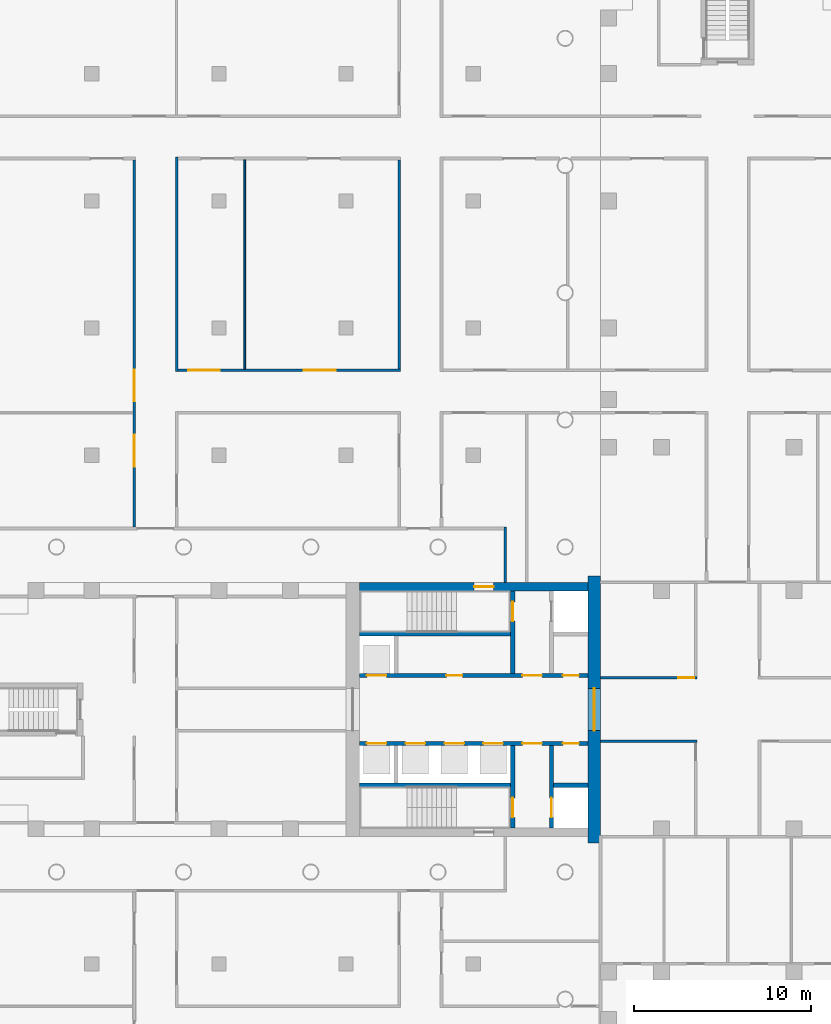
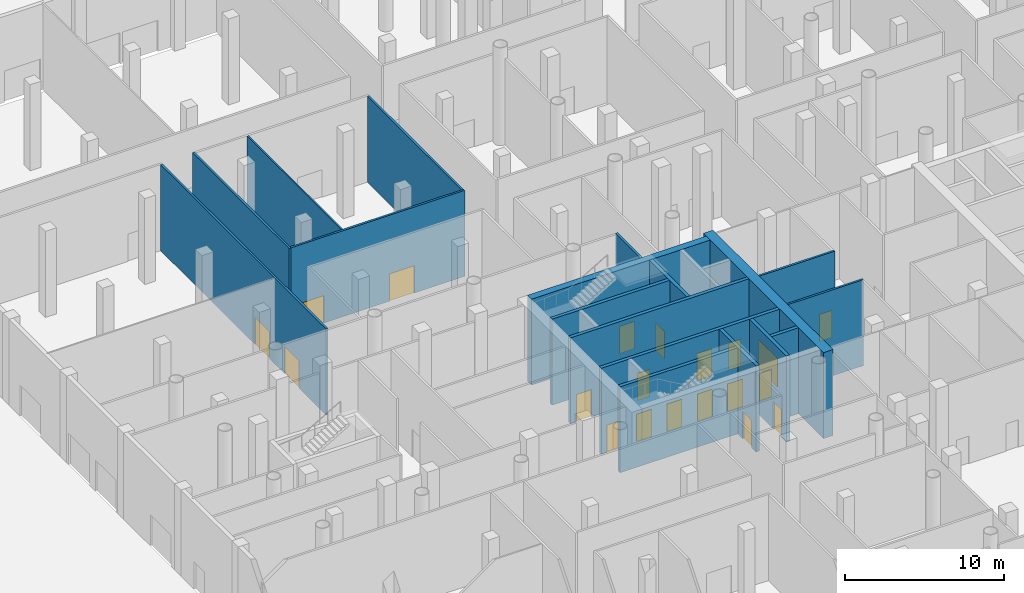
# One storey, part 23 of 44: 20 doors, 18 walls, 20 openings.
"""IFC4 building model written with IfcOpenShell, lengths in metres."""

import ifcopenshell
import ifcopenshell.guid

model = None  # the IFC model being written
_history = None  # IfcOwnerHistory: only IFC2X3 demands one
_inside = {}  # id of a spatial element -> (the spatial element, [elements in it])
_under = {}  # id of a project, library or spatial element -> (it, [spatial elements below it])
_declared = {}  # id of a project -> (the project, [libraries it declares])
_typed = {}  # id of a type object -> (the type object, [elements of that type])
_made_of = {}  # id of a material, layer set ... -> (it, [elements and type objects made of it])


def new_model(schema):
    """Start an empty IFC model of exactly this schema.

    Asked for "IFC4X3", IfcOpenShell would pick the latest addendum, in which some entities
    have other attributes; the version numbers below select the first issue.
    IFC2X3 requires an IfcOwnerHistory on every rooted entity: one is made here for all.
    """
    global model, _history
    if schema == "IFC4X3":
        model = ifcopenshell.file(schema_version=(4, 3, 0, 0))
    else:
        model = ifcopenshell.file(schema=schema)
    _inside.clear()
    _under.clear()
    _declared.clear()
    _typed.clear()
    _made_of.clear()
    _history = None
    if model.schema == "IFC2X3":
        org = make("IfcOrganization", Name="unknown")
        user = make(
            "IfcPersonAndOrganization",
            ThePerson=make("IfcPerson", FamilyName="unknown"),
            TheOrganization=org,
        )
        app = make(
            "IfcApplication",
            ApplicationDeveloper=org,
            Version="unknown",
            ApplicationFullName="unknown",
            ApplicationIdentifier="unknown",
        )
        _history = make(
            "IfcOwnerHistory",
            OwningUser=user,
            OwningApplication=app,
            ChangeAction="ADDED",
            CreationDate=0,
        )
    return model


def make(cls, **values):
    """One entity of the class cls with the attributes given. An attribute that is None is left unset."""
    return model.create_entity(
        cls, **{name: value for name, value in values.items() if value is not None}
    )


def rooted(cls, **values):
    """An entity with a GlobalId (a new one), such as an element, a storey or a relation."""
    return make(cls, GlobalId=ifcopenshell.guid.new(), OwnerHistory=_history, **values)


def si_unit(unit_type, name, prefix=None):
    """IfcSIUnit, for example si_unit("LENGTHUNIT", "METRE", prefix="MILLI")."""
    return make("IfcSIUnit", UnitType=unit_type, Prefix=prefix, Name=name)


def assignment(units):
    """IfcUnitAssignment: the units of a project."""
    return None if units is None else make("IfcUnitAssignment", Units=units)


def point(xyz):
    """IfcCartesianPoint."""
    return None if xyz is None else make("IfcCartesianPoint", Coordinates=xyz)


def direction(xyz):
    """IfcDirection."""
    return None if xyz is None else make("IfcDirection", DirectionRatios=xyz)


def frame(location, z_axis=None, x_axis=None):
    """IfcAxis2Placement3D, a coordinate frame: its origin and axes. An axis left out is left unset."""
    return make(
        "IfcAxis2Placement3D",
        Location=point(location),
        Axis=direction(z_axis),
        RefDirection=direction(x_axis),
    )


def frame_2d(location, x_axis=None):
    """IfcAxis2Placement2D, a coordinate frame in the plane: its origin and x axis."""
    return make(
        "IfcAxis2Placement2D", Location=point(location), RefDirection=direction(x_axis)
    )


def origin():
    """The frame at (0, 0, 0) with its axes left unset."""
    return frame((0.0, 0.0, 0.0))


def place(relative_to, where):
    """IfcLocalPlacement: puts the frame where relative to a parent placement (None: the world)."""
    return make(
        "IfcLocalPlacement", PlacementRelTo=relative_to, RelativePlacement=where
    )


def context(
    kind, dimensions, precision=None, world=None, true_north=None, identifier=None
):
    """IfcGeometricRepresentationContext, for example the 3D "Model" context."""
    return make(
        "IfcGeometricRepresentationContext",
        ContextIdentifier=identifier,
        ContextType=kind,
        CoordinateSpaceDimension=dimensions,
        Precision=precision,
        WorldCoordinateSystem=world,
        TrueNorth=true_north,
    )


def subcontext(parent, identifier, kind, view, scale=None):
    """IfcGeometricRepresentationSubContext, for example "Body" below "Model"."""
    return make(
        "IfcGeometricRepresentationSubContext",
        ContextIdentifier=identifier,
        ContextType=kind,
        ParentContext=parent,
        TargetScale=scale,
        TargetView=view,
    )


def project(units=None, contexts=None):
    """IfcProject with its units and contexts."""
    return rooted(
        "IfcProject",
        Name="project",
        RepresentationContexts=contexts,
        UnitsInContext=assignment(units),
    )


def spatial(cls, under=None, at=None, **own):
    """A site, building, storey or space (cls), placed at a placement, below another one or the project."""
    s = rooted(cls, ObjectPlacement=at, **own)
    if under is not None:
        _under.setdefault(under.id(), (under, []))[1].append(s)
    return s


def profile(cls, at=None, kind="AREA", **sizes):
    """A parametric profile (cls). Its sizes go by their IFC names, for example OverallWidth=200.0."""
    return make(cls, ProfileType=kind, Position=at, **sizes)


def rectangle(**sizes):
    """IfcRectangleProfileDef."""
    return profile("IfcRectangleProfileDef", **sizes)


def extrude(swept, where, along, depth):
    """IfcExtrudedAreaSolid: the profile swept, set in the frame where, extruded along a direction by depth."""
    return make(
        "IfcExtrudedAreaSolid",
        SweptArea=swept,
        Position=where,
        ExtrudedDirection=direction(along),
        Depth=depth,
    )


def shape(context_of_items, identifier, shape_type, items):
    """IfcShapeRepresentation: the items that make up one representation, for example the "Body"."""
    return make(
        "IfcShapeRepresentation",
        ContextOfItems=context_of_items,
        RepresentationIdentifier=identifier,
        RepresentationType=shape_type,
        Items=items,
    )


def material(Name=None, Category=None):
    """IfcMaterial."""
    return make("IfcMaterial", Name=Name, Category=Category)


def layer(
    of_material, thickness, ventilated=None, Name=None, Category=None, Priority=None
):
    """IfcMaterialLayer: one layer of a wall or slab, of a material (None: an air gap)."""
    return make(
        "IfcMaterialLayer",
        Material=of_material,
        LayerThickness=thickness,
        IsVentilated=ventilated,
        Name=Name,
        Category=Category,
        Priority=Priority,
    )


def layer_set(layers, Name=None):
    """IfcMaterialLayerSet."""
    return make("IfcMaterialLayerSet", MaterialLayers=layers, LayerSetName=Name)


def made_of(thing, what):
    """Note that an element or type object is made of a material, layer set ...; save() writes the relation."""
    if what is not None:
        _made_of.setdefault(what.id(), (what, []))[1].append(thing)
    return thing


def type_object(cls, material=None, **own):
    """A type object (cls), such as IfcWallType, which elements share."""
    return made_of(rooted(cls, **own), material)


def element(
    cls,
    number,
    at=None,
    inside=None,
    cuts=None,
    type_object=None,
    material=None,
    context=None,
    identifier="Body",
    shape_type=None,
    held_by="IfcProductDefinitionShape",
    body=None,
    shapes=None,
    **own,
):
    """One element of the class cls, such as IfcWall. Its Tag is "e" and its number.

    at: its placement. inside: the storey or other place that contains it. cuts: it is an
    opening in that element (IfcRelVoidsElement). A single representation is given by context,
    identifier, shape_type and body (its items); several are given by shapes. held_by: the class
    of the entity that holds the representations. save() writes the other relations.
    """
    e = rooted(cls, Tag="e%d" % number, ObjectPlacement=at, **own)
    if body is not None:
        shapes = [shape(context, identifier, shape_type, body)]
    if shapes is not None:
        e.Representation = make(held_by, Representations=shapes)
    if inside is not None:
        _inside.setdefault(inside.id(), (inside, []))[1].append(e)
    if cuts is not None:
        rooted(
            "IfcRelVoidsElement", RelatingBuildingElement=cuts, RelatedOpeningElement=e
        )
    if type_object is not None:
        _typed.setdefault(type_object.id(), (type_object, []))[1].append(e)
    return made_of(e, material)


def fill(opening, filler):
    """IfcRelFillsElement: the door or window that sits in an opening."""
    return rooted(
        "IfcRelFillsElement",
        RelatingOpeningElement=opening,
        RelatedBuildingElement=filler,
    )


def aggregate(whole, parts):
    """IfcRelAggregates: a whole, such as a stair, and the parts it consists of."""
    return rooted("IfcRelAggregates", RelatingObject=whole, RelatedObjects=parts)


def save(model, path):
    """Write the relations noted so far, then the file.

    IfcRelAggregates (storeys below a building ...), IfcRelContainedInSpatialStructure (elements
    in a storey), IfcRelDefinesByType, IfcRelAssociatesMaterial and IfcRelDeclares: one each for
    every whole, place, type object, material and project.
    """
    for whole, parts in _under.values():
        aggregate(whole, parts)
    for where, things in _inside.values():
        rooted(
            "IfcRelContainedInSpatialStructure",
            RelatedElements=things,
            RelatingStructure=where,
        )
    for kind, things in _typed.values():
        rooted("IfcRelDefinesByType", RelatedObjects=things, RelatingType=kind)
    for what, things in _made_of.values():
        rooted("IfcRelAssociatesMaterial", RelatedObjects=things, RelatingMaterial=what)
    for by, libraries in _declared.values():
        rooted("IfcRelDeclares", RelatingContext=by, RelatedDefinitions=libraries)
    model.write(path)


model = new_model("IFC4")

# Units and contexts
model_context = context("Model", 3, precision=1e-05, world=origin(), true_north=direction((0.0, 1.0)))
body_context = subcontext(model_context, "Body", "Model", "MODEL_VIEW")
ifc_project = project(units=[si_unit("LENGTHUNIT", "METRE"), si_unit("AREAUNIT", "SQUARE_METRE"), si_unit("VOLUMEUNIT", "CUBIC_METRE"), si_unit("PLANEANGLEUNIT", "RADIAN"), si_unit("MASSUNIT", "GRAM", prefix="KILO")], contexts=[model_context])

# Site, building, storey
site_placement = place(None, origin())
site = spatial("IfcSite", under=ifc_project, at=site_placement, CompositionType="ELEMENT")
building_placement = place(site_placement, origin())
building = spatial("IfcBuilding", under=site, at=building_placement, Name="Fustian Cross Tower", CompositionType="ELEMENT")
storey_placement = place(building_placement, origin())
storey = spatial("IfcBuildingStorey", under=building, at=storey_placement, Name="L00", CompositionType="ELEMENT", Elevation=0.0)

# Wall, openings, doors
ifc_material_1 = material(Name="Plasterboard on steel stud", Category="steel")
ifc_layer_1 = layer(ifc_material_1, 0.14990234375)
ifc_layer_set_1 = layer_set([ifc_layer_1], Name="Plasterboard on steel stud")
wall_type_1 = type_object("IfcWallType", Name="COMPARTMENT WALL 150 EI 60", PredefinedType="PARTITIONING", material=ifc_layer_set_1)
wall_1_placement = place(storey_placement, frame((-33.60009765625, 10.324951171875, 0.0), z_axis=(0.0, 0.0, 1.0), x_axis=(0.0, 1.0, 0.0)))
wall_1 = element("IfcWall", 1, at=wall_1_placement, inside=storey, type_object=wall_type_1, Name="Partition 21", PredefinedType="PARTITIONING", context=body_context, shape_type="SweptSolid", body=[
    extrude(rectangle(XDim=20.800048828125, YDim=0.14990234375, at=frame_2d((10.39990234375, 0.0))), origin(), (0.0, 0.0, 1.0), 6.60009765625),
])
opening_1_placement = place(wall_1_placement, frame((3.425048828125, 0.0, 0.0)))
opening_1 = element("IfcOpeningElement", 2, at=opening_1_placement, cuts=wall_1, Name="Opening D02080", PredefinedType="OPENING", context=body_context, shape_type="SweptSolid", body=[
    extrude(rectangle(XDim=1.800048828125, YDim=2.10009765625, at=frame_2d((0.89990234375, 1.050048828125))), frame((0.0, 0.0849609375, 0.0), z_axis=(0.0, -1.0, 0.0), x_axis=(1.0, 0.0, 0.0)), (0.0, 0.0, 1.0), 0.169921875),
])
opening_2_placement = place(wall_1_placement, frame((7.125, 0.0, 0.0)))
opening_2 = element("IfcOpeningElement", 3, at=opening_2_placement, cuts=wall_1, Name="Opening D02083", PredefinedType="OPENING", context=body_context, shape_type="SweptSolid", body=[
    extrude(rectangle(XDim=1.800048828125, YDim=2.10009765625, at=frame_2d((0.89990234375, 1.050048828125))), frame((0.0, 0.0849609375, 0.0), z_axis=(0.0, -1.0, 0.0), x_axis=(1.0, 0.0, 0.0)), (0.0, 0.0, 1.0), 0.169921875),
])
ifc_material_2 = material(Name="Timber fire door set", Category="wood")
door_type_1 = type_object("IfcDoorType", Name="FIRE DOUBLE DOOR 1800 FD30S", OperationType="DOUBLE_DOOR_DOUBLE_SWING", PredefinedType="DOOR", material=ifc_material_2)
door_1_placement = place(opening_1_placement, frame((1.800048828125, 0.0, 0.0), z_axis=(0.0, 0.0, 1.0), x_axis=(-1.0, 0.0, 0.0)))
door_1 = element("IfcDoor", 4, at=door_1_placement, inside=storey, type_object=door_type_1, Name="Door D02080", OperationType="DOUBLE_DOOR_DOUBLE_SWING", OverallHeight=2.10009765625, OverallWidth=1.800048828125, PredefinedType="DOOR", context=body_context, shape_type="SweptSolid", body=[
    extrude(rectangle(XDim=1.800048828125, YDim=2.10009765625, at=frame_2d((0.89990234375, 1.050048828125))), frame((0.0, 0.02490234375, 0.0), z_axis=(0.0, -1.0, 0.0), x_axis=(1.0, 0.0, 0.0)), (0.0, 0.0, 1.0), 0.050048828125),
])
fill(opening_1, door_1)
door_2_placement = place(opening_2_placement, frame((1.800048828125, 0.0, 0.0), z_axis=(0.0, 0.0, 1.0), x_axis=(-1.0, 0.0, 0.0)))
door_2 = element("IfcDoor", 5, at=door_2_placement, inside=storey, type_object=door_type_1, Name="Door D02083", OperationType="DOUBLE_DOOR_DOUBLE_SWING", OverallHeight=2.10009765625, OverallWidth=1.800048828125, PredefinedType="DOOR", context=body_context, shape_type="SweptSolid", body=[
    extrude(rectangle(XDim=1.800048828125, YDim=2.10009765625, at=frame_2d((0.89990234375, 1.050048828125))), frame((0.0, 0.02490234375, 0.0), z_axis=(0.0, -1.0, 0.0), x_axis=(1.0, 0.0, 0.0)), (0.0, 0.0, 1.0), 0.050048828125),
])
fill(opening_2, door_2)

# Wall
wall_2_placement = place(storey_placement, frame((-31.199951171875, 19.125, 0.0), z_axis=(0.0, 0.0, 1.0), x_axis=(0.0, 1.0, 0.0)))
element("IfcWall", 6, at=wall_2_placement, inside=storey, type_object=wall_type_1, Name="Partition 33", PredefinedType="PARTITIONING", context=body_context, shape_type="SweptSolid", body=[
    extrude(rectangle(XDim=12.14990234375, YDim=0.14990234375, at=frame_2d((6.074951171875, 0.0))), origin(), (0.0, 0.0, 1.0), 6.60009765625),
])

# Wall, openings, doors
wall_3_placement = place(storey_placement, frame((-31.125, 19.199951171875, 0.0), z_axis=(0.0, 0.0, 1.0), x_axis=(1.0, 0.0, 0.0)))
wall_3 = element("IfcWall", 7, at=wall_3_placement, inside=storey, type_object=wall_type_1, Name="Partition 34", PredefinedType="PARTITIONING", context=body_context, shape_type="SweptSolid", body=[
    extrude(rectangle(XDim=12.60009765625, YDim=0.14990234375, at=frame_2d((6.300048828125, 0.0))), origin(), (0.0, 0.0, 1.0), 6.60009765625),
])
opening_3_placement = place(wall_3_placement, frame((0.574951171875, 0.0, 0.0)))
opening_3 = element("IfcOpeningElement", 8, at=opening_3_placement, cuts=wall_3, Name="Opening D02076", PredefinedType="OPENING", context=body_context, shape_type="SweptSolid", body=[
    extrude(rectangle(XDim=1.800048828125, YDim=2.10009765625, at=frame_2d((0.89990234375, 1.050048828125))), frame((0.0, 0.0849609375, 0.0), z_axis=(0.0, -1.0, 0.0), x_axis=(1.0, 0.0, 0.0)), (0.0, 0.0, 1.0), 0.169921875),
])
opening_4_placement = place(wall_3_placement, frame((7.136962890625, 0.0, 0.0)))
opening_4 = element("IfcOpeningElement", 9, at=opening_4_placement, cuts=wall_3, Name="Opening D02078", PredefinedType="OPENING", context=body_context, shape_type="SweptSolid", body=[
    extrude(rectangle(XDim=1.800048828125, YDim=2.10009765625, at=frame_2d((0.89990234375, 1.050048828125))), frame((0.0, 0.0849609375, 0.0), z_axis=(0.0, -1.0, 0.0), x_axis=(1.0, 0.0, 0.0)), (0.0, 0.0, 1.0), 0.169921875),
])
door_3_placement = place(opening_3_placement, frame((1.800048828125, 0.0, 0.0), z_axis=(0.0, 0.0, 1.0), x_axis=(-1.0, 0.0, 0.0)))
door_3 = element("IfcDoor", 10, at=door_3_placement, inside=storey, type_object=door_type_1, Name="Door D02076", OperationType="DOUBLE_DOOR_DOUBLE_SWING", OverallHeight=2.10009765625, OverallWidth=1.800048828125, PredefinedType="DOOR", context=body_context, shape_type="SweptSolid", body=[
    extrude(rectangle(XDim=1.800048828125, YDim=2.10009765625, at=frame_2d((0.89990234375, 1.050048828125))), frame((0.0, 0.02490234375, 0.0), z_axis=(0.0, -1.0, 0.0), x_axis=(1.0, 0.0, 0.0)), (0.0, 0.0, 1.0), 0.050048828125),
])
fill(opening_3, door_3)
door_4_placement = place(opening_4_placement, frame((1.800048828125, 0.0, 0.0), z_axis=(0.0, 0.0, 1.0), x_axis=(-1.0, 0.0, 0.0)))
door_4 = element("IfcDoor", 11, at=door_4_placement, inside=storey, type_object=door_type_1, Name="Door D02078", OperationType="DOUBLE_DOOR_DOUBLE_SWING", OverallHeight=2.10009765625, OverallWidth=1.800048828125, PredefinedType="DOOR", context=body_context, shape_type="SweptSolid", body=[
    extrude(rectangle(XDim=1.800048828125, YDim=2.10009765625, at=frame_2d((0.89990234375, 1.050048828125))), frame((0.0, 0.02490234375, 0.0), z_axis=(0.0, -1.0, 0.0), x_axis=(1.0, 0.0, 0.0)), (0.0, 0.0, 1.0), 0.050048828125),
])
fill(opening_4, door_4)

# Walls
wall_4_placement = place(storey_placement, frame((-18.60009765625, 19.27490234375, 0.0), z_axis=(0.0, 0.0, 1.0), x_axis=(0.0, 1.0, 0.0)))
element("IfcWall", 12, at=wall_4_placement, inside=storey, type_object=wall_type_1, Name="Partition 42", PredefinedType="PARTITIONING", context=body_context, shape_type="SweptSolid", body=[
    extrude(rectangle(XDim=11.85009765625, YDim=0.14990234375, at=frame_2d((5.925048828125, 0.0))), origin(), (0.0, 0.0, 1.0), 6.60009765625),
])
wall_5_placement = place(storey_placement, frame((-12.60009765625, 7.199951171875, 0.0), z_axis=(0.0, 0.0, 1.0), x_axis=(0.0, 1.0, 0.0)))
element("IfcWall", 13, at=wall_5_placement, inside=storey, type_object=wall_type_1, Name="Partition 60", PredefinedType="PARTITIONING", context=body_context, shape_type="SweptSolid", body=[
    extrude(rectangle(XDim=3.125, YDim=0.14990234375, at=frame_2d((1.5625, 0.0))), origin(), (0.0, 0.0, 1.0), 6.60009765625),
])
wall_6_placement = place(storey_placement, frame((-7.199951171875, -1.800048828125, 0.0), z_axis=(0.0, 0.0, 1.0), x_axis=(1.0, 0.0, 0.0)))
element("IfcWall", 14, at=wall_6_placement, inside=storey, type_object=wall_type_1, Name="Partition 66", PredefinedType="PARTITIONING", context=body_context, shape_type="SweptSolid", body=[
    extrude(rectangle(XDim=5.474853515625, YDim=0.14990234375, at=frame_2d((2.7373046875, 0.0))), origin(), (0.0, 0.0, 1.0), 6.60009765625),
])

# Wall, opening, door
wall_7_placement = place(storey_placement, frame((-7.199951171875, 1.800048828125, 0.0), z_axis=(0.0, 0.0, 1.0), x_axis=(1.0, 0.0, 0.0)))
wall_7 = element("IfcWall", 15, at=wall_7_placement, inside=storey, type_object=wall_type_1, Name="Partition 67", PredefinedType="PARTITIONING", context=body_context, shape_type="SweptSolid", body=[
    extrude(rectangle(XDim=5.474853515625, YDim=0.14990234375, at=frame_2d((2.7373046875, 0.0))), origin(), (0.0, 0.0, 1.0), 6.60009765625),
])
opening_5_placement = place(wall_7_placement, frame((4.39990234375, 0.0, 0.0)))
opening_5 = element("IfcOpeningElement", 16, at=opening_5_placement, cuts=wall_7, Name="Opening D02003", PredefinedType="OPENING", context=body_context, shape_type="SweptSolid", body=[
    extrude(rectangle(XDim=0.89990234375, YDim=2.10009765625, at=frame_2d((0.449951171875, 1.050048828125))), frame((0.0, 0.0849609375, 0.0), z_axis=(0.0, -1.0, 0.0), x_axis=(1.0, 0.0, 0.0)), (0.0, 0.0, 1.0), 0.169921875),
])
ifc_material_3 = material(Name="Timber fire door set", Category="wood")
door_type_2 = type_object("IfcDoorType", Name="FIRE SWING DOOR 900 FD30S", OperationType="SINGLE_SWING_LEFT", PredefinedType="DOOR", material=ifc_material_3)
door_5_placement = place(opening_5_placement, origin())
door_5 = element("IfcDoor", 17, at=door_5_placement, inside=storey, type_object=door_type_2, Name="Door D02003", OperationType="SINGLE_SWING_RIGHT", OverallHeight=2.10009765625, OverallWidth=0.89990234375, PredefinedType="DOOR", context=body_context, shape_type="SweptSolid", body=[
    extrude(rectangle(XDim=0.89990234375, YDim=2.10009765625, at=frame_2d((0.449951171875, 1.050048828125))), frame((0.0, 0.02490234375, 0.0), z_axis=(0.0, -1.0, 0.0), x_axis=(1.0, 0.0, 0.0)), (0.0, 0.0, 1.0), 0.050048828125),
])
fill(opening_5, door_5)

ifc_material_4 = material(Name="Concrete C80/95", Category="concrete")
ifc_layer_2 = layer(ifc_material_4, 0.5)
ifc_layer_set_2 = layer_set([ifc_layer_2], Name="Concrete C80/95")
wall_type_2 = type_object("IfcWallType", Name="CORE BASE WALL 500 C80/95", PredefinedType="SHEAR", material=ifc_layer_set_2)
wall_8_placement = place(storey_placement, frame((-7.89990234375, 6.949951171875, 0.0), z_axis=(0.0, 0.0, 1.0), x_axis=(-1.0, 0.0, 0.0)))
wall_8 = element("IfcWall", 18, at=wall_8_placement, inside=storey, type_object=wall_type_2, Name="Core facade wall", PredefinedType="SHEAR", context=body_context, shape_type="SweptSolid", body=[
    extrude(rectangle(XDim=12.9501953125, YDim=0.5, at=frame_2d((6.47509765625, 0.0))), origin(), (0.0, 0.0, 1.0), 6.60009765625),
])
opening_6_placement = place(wall_8_placement, frame((5.35009765625, 0.0, 0.0)))
opening_6 = element("IfcOpeningElement", 19, at=opening_6_placement, cuts=wall_8, Name="Opening CD-02-39", PredefinedType="OPENING", context=body_context, shape_type="SweptSolid", body=[
    extrude(rectangle(XDim=1.10009765625, YDim=2.10009765625, at=frame_2d((0.550048828125, 1.050048828125))), frame((0.0, 0.260009765625, 0.0), z_axis=(0.0, -1.0, 0.0), x_axis=(1.0, 0.0, 0.0)), (0.0, 0.0, 1.0), 0.52001953125),
])
ifc_material_5 = material(Name="Steel", Category="steel")
door_type_3 = type_object("IfcDoorType", Name="FIRE DOOR FD60S 1100X2100", OperationType="SINGLE_SWING_LEFT", PredefinedType="DOOR", material=ifc_material_5)
door_6_placement = place(opening_6_placement, frame((1.10009765625, 0.0, 0.0), z_axis=(0.0, 0.0, 1.0), x_axis=(-1.0, 0.0, 0.0)))
door_6 = element("IfcDoor", 20, at=door_6_placement, inside=storey, type_object=door_type_3, Name="Core door CD-02-39", OperationType="SINGLE_SWING_RIGHT", OverallHeight=2.10009765625, OverallWidth=1.10009765625, PredefinedType="DOOR", context=body_context, shape_type="SweptSolid", body=[
    extrude(rectangle(XDim=1.10009765625, YDim=2.10009765625, at=frame_2d((0.550048828125, 1.050048828125))), frame((0.0, 0.02490234375, 0.0), z_axis=(0.0, -1.0, 0.0), x_axis=(1.0, 0.0, 0.0)), (0.0, 0.0, 1.0), 0.050048828125),
])
fill(opening_6, door_6)

ifc_material_6 = material(Name="Concrete C80/95", Category="concrete")
ifc_layer_3 = layer(ifc_material_6, 0.699951171875)
ifc_layer_set_3 = layer_set([ifc_layer_3], Name="Concrete C80/95")
wall_type_3 = type_object("IfcWallType", Name="CORE END WALL 700 C80/95", PredefinedType="SHEAR", material=ifc_layer_set_3)
wall_9_placement = place(storey_placement, frame((-7.550048828125, -7.548095703125, 0.0), z_axis=(0.0, 0.0, 1.0), x_axis=(0.0, 1.0, 0.0)))
wall_9 = element("IfcWall", 21, at=wall_9_placement, inside=storey, type_object=wall_type_3, Name="Core end wall", PredefinedType="SHEAR", context=body_context, shape_type="SweptSolid", body=[
    extrude(rectangle(XDim=15.09619140625, YDim=0.699951171875, at=frame_2d((7.548095703125, 0.0))), origin(), (0.0, 0.0, 1.0), 6.60009765625),
])
opening_7_placement = place(wall_9_placement, frame((6.347900390625, 0.0, 0.0)))
opening_7 = element("IfcOpeningElement", 22, at=opening_7_placement, cuts=wall_9, Name="Opening CD-02-30", PredefinedType="OPENING", context=body_context, shape_type="SweptSolid", body=[
    extrude(rectangle(XDim=2.39990234375, YDim=2.199951171875, at=frame_2d((1.199951171875, 1.10009765625))), frame((0.0, 0.35986328125, 0.0), z_axis=(0.0, -1.0, 0.0), x_axis=(1.0, 0.0, 0.0)), (0.0, 0.0, 1.0), 0.719970703125),
])
ifc_material_7 = material(Name="Steel", Category="steel")
door_type_4 = type_object("IfcDoorType", Name="FIRE DOOR FD30S DOUBLE 2400X2200", OperationType="DOUBLE_DOOR_DOUBLE_SWING", PredefinedType="DOOR", material=ifc_material_7)
door_7_placement = place(opening_7_placement, origin())
door_7 = element("IfcDoor", 23, at=door_7_placement, inside=storey, type_object=door_type_4, Name="Core door CD-02-30", OperationType="DOUBLE_DOOR_DOUBLE_SWING", OverallHeight=2.199951171875, OverallWidth=2.39990234375, PredefinedType="DOOR", context=body_context, shape_type="SweptSolid", body=[
    extrude(rectangle(XDim=2.39990234375, YDim=2.199951171875, at=frame_2d((1.199951171875, 1.10009765625))), frame((0.0, 0.02490234375, 0.0), z_axis=(0.0, -1.0, 0.0), x_axis=(1.0, 0.0, 0.0)), (0.0, 0.0, 1.0), 0.050048828125),
])
fill(opening_7, door_7)

# Wall, openings, doors
ifc_material_8 = material(Name="Concrete C50/60", Category="concrete")
ifc_layer_4 = layer(ifc_material_8, 0.25)
ifc_layer_set_4 = layer_set([ifc_layer_4], Name="Concrete C50/60")
wall_type_4 = type_object("IfcWallType", Name="CORE LOBBY WALL 250 C50/60", PredefinedType="SHEAR", material=ifc_layer_set_4)
wall_10_placement = place(storey_placement, frame((-7.89990234375, 1.925048828125, 0.0), z_axis=(0.0, 0.0, 1.0), x_axis=(-1.0, 0.0, 0.0)))
wall_10 = element("IfcWall", 24, at=wall_10_placement, inside=storey, type_object=wall_type_4, Name="Core lobby wall", PredefinedType="SHEAR", context=body_context, shape_type="SweptSolid", body=[
    extrude(rectangle(XDim=12.9501953125, YDim=0.25, at=frame_2d((6.47509765625, 0.0))), origin(), (0.0, 0.0, 1.0), 6.60009765625),
])
opening_8_placement = place(wall_10_placement, frame((11.425048828125, 0.0, 0.0)))
opening_8 = element("IfcOpeningElement", 25, at=opening_8_placement, cuts=wall_10, Name="Opening LD", PredefinedType="OPENING", context=body_context, shape_type="SweptSolid", body=[
    extrude(rectangle(XDim=1.10009765625, YDim=2.10009765625, at=frame_2d((0.550048828125, 1.050048828125))), frame((0.0, 0.135009765625, 0.0), z_axis=(0.0, -1.0, 0.0), x_axis=(1.0, 0.0, 0.0)), (0.0, 0.0, 1.0), 0.27001953125),
])
opening_9_placement = place(wall_10_placement, frame((0.52490234375, 0.0, 0.0)))
opening_9 = element("IfcOpeningElement", 26, at=opening_9_placement, cuts=wall_10, Name="Opening CD-02-26", PredefinedType="OPENING", context=body_context, shape_type="SweptSolid", body=[
    extrude(rectangle(XDim=0.89990234375, YDim=2.10009765625, at=frame_2d((0.449951171875, 1.050048828125))), frame((0.0, 0.135009765625, 0.0), z_axis=(0.0, -1.0, 0.0), x_axis=(1.0, 0.0, 0.0)), (0.0, 0.0, 1.0), 0.27001953125),
])
opening_10_placement = place(wall_10_placement, frame((2.625, 0.0, 0.0)))
opening_10 = element("IfcOpeningElement", 27, at=opening_10_placement, cuts=wall_10, Name="Opening CD-02-28", PredefinedType="OPENING", context=body_context, shape_type="SweptSolid", body=[
    extrude(rectangle(XDim=1.10009765625, YDim=2.10009765625, at=frame_2d((0.550048828125, 1.050048828125))), frame((0.0, 0.135009765625, 0.0), z_axis=(0.0, -1.0, 0.0), x_axis=(1.0, 0.0, 0.0)), (0.0, 0.0, 1.0), 0.27001953125),
])
opening_11_placement = place(wall_10_placement, frame((7.125, 0.0, 0.0)))
opening_11 = element("IfcOpeningElement", 28, at=opening_11_placement, cuts=wall_10, Name="Opening CD-02-32", PredefinedType="OPENING", context=body_context, shape_type="SweptSolid", body=[
    extrude(rectangle(XDim=0.89990234375, YDim=2.10009765625, at=frame_2d((0.449951171875, 1.050048828125))), frame((0.0, 0.135009765625, 0.0), z_axis=(0.0, -1.0, 0.0), x_axis=(1.0, 0.0, 0.0)), (0.0, 0.0, 1.0), 0.27001953125),
])
ifc_material_9 = material(Name="Steel", Category="steel")
door_type_5 = type_object("IfcDoorType", Name="FIRE DOOR FD30S 900X2100", OperationType="SINGLE_SWING_LEFT", PredefinedType="DOOR", material=ifc_material_9)
door_8_placement = place(opening_11_placement, frame((0.89990234375, 0.0, 0.0), z_axis=(0.0, 0.0, 1.0), x_axis=(-1.0, 0.0, 0.0)))
door_8 = element("IfcDoor", 29, at=door_8_placement, inside=storey, type_object=door_type_5, Name="Core door CD-02-32", OperationType="SINGLE_SWING_RIGHT", OverallHeight=2.10009765625, OverallWidth=0.89990234375, PredefinedType="DOOR", context=body_context, shape_type="SweptSolid", body=[
    extrude(rectangle(XDim=0.89990234375, YDim=2.10009765625, at=frame_2d((0.449951171875, 1.050048828125))), frame((0.0, 0.02490234375, 0.0), z_axis=(0.0, -1.0, 0.0), x_axis=(1.0, 0.0, 0.0)), (0.0, 0.0, 1.0), 0.050048828125),
])
fill(opening_11, door_8)
door_9_placement = place(opening_10_placement, frame((1.10009765625, 0.0, 0.0), z_axis=(0.0, 0.0, 1.0), x_axis=(-1.0, 0.0, 0.0)))
door_9 = element("IfcDoor", 30, at=door_9_placement, inside=storey, type_object=door_type_3, Name="Core door CD-02-28", OperationType="SINGLE_SWING_RIGHT", OverallHeight=2.10009765625, OverallWidth=1.10009765625, PredefinedType="DOOR", context=body_context, shape_type="SweptSolid", body=[
    extrude(rectangle(XDim=1.10009765625, YDim=2.10009765625, at=frame_2d((0.550048828125, 1.050048828125))), frame((0.0, 0.02490234375, 0.0), z_axis=(0.0, -1.0, 0.0), x_axis=(1.0, 0.0, 0.0)), (0.0, 0.0, 1.0), 0.050048828125),
])
fill(opening_10, door_9)
ifc_material_10 = material(Name="Steel", Category="steel")
door_type_6 = type_object("IfcDoorType", Name="FIRE DOOR FD60S 900X2100", OperationType="SINGLE_SWING_LEFT", PredefinedType="DOOR", material=ifc_material_10)
door_10_placement = place(opening_9_placement, frame((0.89990234375, 0.0, 0.0), z_axis=(0.0, 0.0, 1.0), x_axis=(-1.0, 0.0, 0.0)))
door_10 = element("IfcDoor", 31, at=door_10_placement, inside=storey, type_object=door_type_6, Name="Core door CD-02-26", OperationType="SINGLE_SWING_RIGHT", OverallHeight=2.10009765625, OverallWidth=0.89990234375, PredefinedType="DOOR", context=body_context, shape_type="SweptSolid", body=[
    extrude(rectangle(XDim=0.89990234375, YDim=2.10009765625, at=frame_2d((0.449951171875, 1.050048828125))), frame((0.0, 0.02490234375, 0.0), z_axis=(0.0, -1.0, 0.0), x_axis=(1.0, 0.0, 0.0)), (0.0, 0.0, 1.0), 0.050048828125),
])
fill(opening_9, door_10)
ifc_material_11 = material(Name="Stainless steel", Category="steel")
door_type_7 = type_object("IfcDoorType", Name="LIFT LANDING DOOR 1100X2100", OperationType="SLIDING_TO_LEFT", PredefinedType="DOOR", material=ifc_material_11)
door_11_placement = place(opening_8_placement, origin())
door_11 = element("IfcDoor", 32, at=door_11_placement, inside=storey, type_object=door_type_7, Name="Landing door SH2W", OperationType="SLIDING_TO_LEFT", OverallHeight=2.10009765625, OverallWidth=1.10009765625, PredefinedType="DOOR", context=body_context, shape_type="SweptSolid", body=[
    extrude(rectangle(XDim=1.10009765625, YDim=2.10009765625, at=frame_2d((0.550048828125, 1.050048828125))), frame((0.0, 0.02490234375, 0.0), z_axis=(0.0, -1.0, 0.0), x_axis=(1.0, 0.0, 0.0)), (0.0, 0.0, 1.0), 0.050048828125),
])
fill(opening_8, door_11)

wall_11_placement = place(storey_placement, frame((-7.89990234375, -1.925048828125, 0.0), z_axis=(0.0, 0.0, 1.0), x_axis=(-1.0, 0.0, 0.0)))
wall_11 = element("IfcWall", 33, at=wall_11_placement, inside=storey, type_object=wall_type_4, Name="Core lobby wall", PredefinedType="SHEAR", context=body_context, shape_type="SweptSolid", body=[
    extrude(rectangle(XDim=12.9501953125, YDim=0.25, at=frame_2d((6.47509765625, 0.0))), origin(), (0.0, 0.0, 1.0), 6.60009765625),
])
opening_12_placement = place(wall_11_placement, frame((4.824951171875, 0.0, 0.0)))
opening_12 = element("IfcOpeningElement", 34, at=opening_12_placement, cuts=wall_11, Name="Opening LD", PredefinedType="OPENING", context=body_context, shape_type="SweptSolid", body=[
    extrude(rectangle(XDim=1.10009765625, YDim=2.10009765625, at=frame_2d((0.550048828125, 1.050048828125))), frame((0.0, 0.135009765625, 0.0), z_axis=(0.0, -1.0, 0.0), x_axis=(1.0, 0.0, 0.0)), (0.0, 0.0, 1.0), 0.27001953125),
])
opening_13_placement = place(wall_11_placement, frame((7.02490234375, 0.0, 0.0)))
opening_13 = element("IfcOpeningElement", 35, at=opening_13_placement, cuts=wall_11, Name="Opening LD", PredefinedType="OPENING", context=body_context, shape_type="SweptSolid", body=[
    extrude(rectangle(XDim=1.10009765625, YDim=2.10009765625, at=frame_2d((0.550048828125, 1.050048828125))), frame((0.0, 0.135009765625, 0.0), z_axis=(0.0, -1.0, 0.0), x_axis=(1.0, 0.0, 0.0)), (0.0, 0.0, 1.0), 0.27001953125),
])
opening_14_placement = place(wall_11_placement, frame((9.22509765625, 0.0, 0.0)))
opening_14 = element("IfcOpeningElement", 36, at=opening_14_placement, cuts=wall_11, Name="Opening LD", PredefinedType="OPENING", context=body_context, shape_type="SweptSolid", body=[
    extrude(rectangle(XDim=1.10009765625, YDim=2.10009765625, at=frame_2d((0.550048828125, 1.050048828125))), frame((0.0, 0.135009765625, 0.0), z_axis=(0.0, -1.0, 0.0), x_axis=(1.0, 0.0, 0.0)), (0.0, 0.0, 1.0), 0.27001953125),
])
opening_15_placement = place(wall_11_placement, frame((11.425048828125, 0.0, 0.0)))
opening_15 = element("IfcOpeningElement", 37, at=opening_15_placement, cuts=wall_11, Name="Opening LD", PredefinedType="OPENING", context=body_context, shape_type="SweptSolid", body=[
    extrude(rectangle(XDim=1.10009765625, YDim=2.10009765625, at=frame_2d((0.550048828125, 1.050048828125))), frame((0.0, 0.135009765625, 0.0), z_axis=(0.0, -1.0, 0.0), x_axis=(1.0, 0.0, 0.0)), (0.0, 0.0, 1.0), 0.27001953125),
])
opening_16_placement = place(wall_11_placement, frame((0.52490234375, 0.0, 0.0)))
opening_16 = element("IfcOpeningElement", 38, at=opening_16_placement, cuts=wall_11, Name="Opening CD-02-27", PredefinedType="OPENING", context=body_context, shape_type="SweptSolid", body=[
    extrude(rectangle(XDim=0.89990234375, YDim=2.10009765625, at=frame_2d((0.449951171875, 1.050048828125))), frame((0.0, 0.135009765625, 0.0), z_axis=(0.0, -1.0, 0.0), x_axis=(1.0, 0.0, 0.0)), (0.0, 0.0, 1.0), 0.27001953125),
])
opening_17_placement = place(wall_11_placement, frame((2.625, 0.0, 0.0)))
opening_17 = element("IfcOpeningElement", 39, at=opening_17_placement, cuts=wall_11, Name="Opening CD-02-29", PredefinedType="OPENING", context=body_context, shape_type="SweptSolid", body=[
    extrude(rectangle(XDim=1.10009765625, YDim=2.10009765625, at=frame_2d((0.550048828125, 1.050048828125))), frame((0.0, 0.135009765625, 0.0), z_axis=(0.0, -1.0, 0.0), x_axis=(1.0, 0.0, 0.0)), (0.0, 0.0, 1.0), 0.27001953125),
])
ifc_material_12 = material(Name="Steel", Category="steel")
door_type_8 = type_object("IfcDoorType", Name="FIRE DOOR FD30S 1100X2100", OperationType="SINGLE_SWING_LEFT", PredefinedType="DOOR", material=ifc_material_12)
door_12_placement = place(opening_17_placement, frame((1.10009765625, 0.0, 0.0), z_axis=(0.0, 0.0, 1.0), x_axis=(-1.0, 0.0, 0.0)))
door_12 = element("IfcDoor", 40, at=door_12_placement, inside=storey, type_object=door_type_8, Name="Core door CD-02-29", OperationType="SINGLE_SWING_RIGHT", OverallHeight=2.10009765625, OverallWidth=1.10009765625, PredefinedType="DOOR", context=body_context, shape_type="SweptSolid", body=[
    extrude(rectangle(XDim=1.10009765625, YDim=2.10009765625, at=frame_2d((0.550048828125, 1.050048828125))), frame((0.0, 0.02490234375, 0.0), z_axis=(0.0, -1.0, 0.0), x_axis=(1.0, 0.0, 0.0)), (0.0, 0.0, 1.0), 0.050048828125),
])
fill(opening_17, door_12)
door_13_placement = place(opening_16_placement, origin())
door_13 = element("IfcDoor", 41, at=door_13_placement, inside=storey, type_object=door_type_5, Name="Core door CD-02-27", OperationType="SINGLE_SWING_LEFT", OverallHeight=2.10009765625, OverallWidth=0.89990234375, PredefinedType="DOOR", context=body_context, shape_type="SweptSolid", body=[
    extrude(rectangle(XDim=0.89990234375, YDim=2.10009765625, at=frame_2d((0.449951171875, 1.050048828125))), frame((0.0, 0.02490234375, 0.0), z_axis=(0.0, -1.0, 0.0), x_axis=(1.0, 0.0, 0.0)), (0.0, 0.0, 1.0), 0.050048828125),
])
fill(opening_16, door_13)
door_14_placement = place(opening_12_placement, origin())
door_14 = element("IfcDoor", 42, at=door_14_placement, inside=storey, type_object=door_type_7, Name="Landing door LR1W", OperationType="SLIDING_TO_LEFT", OverallHeight=2.10009765625, OverallWidth=1.10009765625, PredefinedType="DOOR", context=body_context, shape_type="SweptSolid", body=[
    extrude(rectangle(XDim=1.10009765625, YDim=2.10009765625, at=frame_2d((0.550048828125, 1.050048828125))), frame((0.0, 0.02490234375, 0.0), z_axis=(0.0, -1.0, 0.0), x_axis=(1.0, 0.0, 0.0)), (0.0, 0.0, 1.0), 0.050048828125),
])
fill(opening_12, door_14)
door_15_placement = place(opening_13_placement, origin())
door_15 = element("IfcDoor", 43, at=door_15_placement, inside=storey, type_object=door_type_7, Name="Landing door LR2W", OperationType="SLIDING_TO_LEFT", OverallHeight=2.10009765625, OverallWidth=1.10009765625, PredefinedType="DOOR", context=body_context, shape_type="SweptSolid", body=[
    extrude(rectangle(XDim=1.10009765625, YDim=2.10009765625, at=frame_2d((0.550048828125, 1.050048828125))), frame((0.0, 0.02490234375, 0.0), z_axis=(0.0, -1.0, 0.0), x_axis=(1.0, 0.0, 0.0)), (0.0, 0.0, 1.0), 0.050048828125),
])
fill(opening_13, door_15)
door_16_placement = place(opening_14_placement, origin())
door_16 = element("IfcDoor", 44, at=door_16_placement, inside=storey, type_object=door_type_7, Name="Landing door LR3W", OperationType="SLIDING_TO_LEFT", OverallHeight=2.10009765625, OverallWidth=1.10009765625, PredefinedType="DOOR", context=body_context, shape_type="SweptSolid", body=[
    extrude(rectangle(XDim=1.10009765625, YDim=2.10009765625, at=frame_2d((0.550048828125, 1.050048828125))), frame((0.0, 0.02490234375, 0.0), z_axis=(0.0, -1.0, 0.0), x_axis=(1.0, 0.0, 0.0)), (0.0, 0.0, 1.0), 0.050048828125),
])
fill(opening_14, door_16)
door_17_placement = place(opening_15_placement, origin())
door_17 = element("IfcDoor", 45, at=door_17_placement, inside=storey, type_object=door_type_7, Name="Landing door SH1W", OperationType="SLIDING_TO_LEFT", OverallHeight=2.10009765625, OverallWidth=1.10009765625, PredefinedType="DOOR", context=body_context, shape_type="SweptSolid", body=[
    extrude(rectangle(XDim=1.10009765625, YDim=2.10009765625, at=frame_2d((0.550048828125, 1.050048828125))), frame((0.0, 0.02490234375, 0.0), z_axis=(0.0, -1.0, 0.0), x_axis=(1.0, 0.0, 0.0)), (0.0, 0.0, 1.0), 0.050048828125),
])
fill(opening_15, door_17)

# Wall
ifc_material_13 = material(Name="Concrete C50/60", Category="concrete")
ifc_layer_5 = layer(ifc_material_13, 0.25)
ifc_layer_set_5 = layer_set([ifc_layer_5], Name="Concrete C50/60")
wall_type_5 = type_object("IfcWallType", Name="CORE SHAFT WALL 250 C50/60", PredefinedType="SHEAR", material=ifc_layer_set_5)
wall_12_placement = place(storey_placement, frame((-12.300048828125, 4.27490234375, 0.0), z_axis=(0.0, 0.0, 1.0), x_axis=(-1.0, 0.0, 0.0)))
element("IfcWall", 46, at=wall_12_placement, inside=storey, type_object=wall_type_5, Name="Core shaft wall", PredefinedType="SHEAR", context=body_context, shape_type="SweptSolid", body=[
    extrude(rectangle(XDim=8.550048828125, YDim=0.25, at=frame_2d((4.27490234375, 0.0))), origin(), (0.0, 0.0, 1.0), 6.60009765625),
])

# Wall, opening, door
wall_13_placement = place(storey_placement, frame((-12.175048828125, 2.050048828125, 0.0), z_axis=(0.0, 0.0, 1.0), x_axis=(0.0, 1.0, 0.0)))
wall_13 = element("IfcWall", 47, at=wall_13_placement, inside=storey, type_object=wall_type_5, Name="Core shaft wall", PredefinedType="SHEAR", context=body_context, shape_type="SweptSolid", body=[
    extrude(rectangle(XDim=4.64990234375, YDim=0.25, at=frame_2d((2.324951171875, 0.0))), origin(), (0.0, 0.0, 1.0), 6.60009765625),
])
opening_18_placement = place(wall_13_placement, frame((2.949951171875, 0.0, 0.0)))
opening_18 = element("IfcOpeningElement", 48, at=opening_18_placement, cuts=wall_13, Name="Opening CD-02-24", PredefinedType="OPENING", context=body_context, shape_type="SweptSolid", body=[
    extrude(rectangle(XDim=1.10009765625, YDim=2.10009765625, at=frame_2d((0.550048828125, 1.050048828125))), frame((0.0, 0.135009765625, 0.0), z_axis=(0.0, -1.0, 0.0), x_axis=(1.0, 0.0, 0.0)), (0.0, 0.0, 1.0), 0.27001953125),
])
door_18_placement = place(opening_18_placement, origin())
door_18 = element("IfcDoor", 49, at=door_18_placement, inside=storey, type_object=door_type_3, Name="Core door CD-02-24", OperationType="SINGLE_SWING_LEFT", OverallHeight=2.10009765625, OverallWidth=1.10009765625, PredefinedType="DOOR", context=body_context, shape_type="SweptSolid", body=[
    extrude(rectangle(XDim=1.10009765625, YDim=2.10009765625, at=frame_2d((0.550048828125, 1.050048828125))), frame((0.0, 0.02490234375, 0.0), z_axis=(0.0, -1.0, 0.0), x_axis=(1.0, 0.0, 0.0)), (0.0, 0.0, 1.0), 0.050048828125),
])
fill(opening_18, door_18)

# Walls
wall_14_placement = place(storey_placement, frame((-7.89990234375, -4.27490234375, 0.0), z_axis=(0.0, 0.0, 1.0), x_axis=(-1.0, 0.0, 0.0)))
element("IfcWall", 50, at=wall_14_placement, inside=storey, type_object=wall_type_5, Name="Core shaft wall", PredefinedType="SHEAR", context=body_context, shape_type="SweptSolid", body=[
    extrude(rectangle(XDim=1.9501953125, YDim=0.25, at=frame_2d((0.97509765625, 0.0))), origin(), (0.0, 0.0, 1.0), 6.60009765625),
])
wall_15_placement = place(storey_placement, frame((-12.300048828125, -4.27490234375, 0.0), z_axis=(0.0, 0.0, 1.0), x_axis=(-1.0, 0.0, 0.0)))
element("IfcWall", 51, at=wall_15_placement, inside=storey, type_object=wall_type_5, Name="Core shaft wall", PredefinedType="SHEAR", context=body_context, shape_type="SweptSolid", body=[
    extrude(rectangle(XDim=8.550048828125, YDim=0.25, at=frame_2d((4.27490234375, 0.0))), origin(), (0.0, 0.0, 1.0), 6.60009765625),
])

# Wall, opening, door
wall_16_placement = place(storey_placement, frame((-9.97509765625, -2.050048828125, 0.0), z_axis=(0.0, 0.0, 1.0), x_axis=(0.0, -1.0, 0.0)))
wall_16 = element("IfcWall", 52, at=wall_16_placement, inside=storey, type_object=wall_type_5, Name="Core shaft wall", PredefinedType="SHEAR", context=body_context, shape_type="SweptSolid", body=[
    extrude(rectangle(XDim=4.64990234375, YDim=0.25, at=frame_2d((2.324951171875, 0.0))), origin(), (0.0, 0.0, 1.0), 6.60009765625),
])
opening_19_placement = place(wall_16_placement, frame((2.949951171875, 0.0, 0.0)))
opening_19 = element("IfcOpeningElement", 53, at=opening_19_placement, cuts=wall_16, Name="Opening LD", PredefinedType="OPENING", context=body_context, shape_type="SweptSolid", body=[
    extrude(rectangle(XDim=1.10009765625, YDim=2.10009765625, at=frame_2d((0.550048828125, 1.050048828125))), frame((0.0, 0.135009765625, 0.0), z_axis=(0.0, -1.0, 0.0), x_axis=(1.0, 0.0, 0.0)), (0.0, 0.0, 1.0), 0.27001953125),
])
door_19_placement = place(opening_19_placement, origin())
door_19 = element("IfcDoor", 54, at=door_19_placement, inside=storey, type_object=door_type_7, Name="Landing door SV1W", OperationType="SLIDING_TO_LEFT", OverallHeight=2.10009765625, OverallWidth=1.10009765625, PredefinedType="DOOR", context=body_context, shape_type="SweptSolid", body=[
    extrude(rectangle(XDim=1.10009765625, YDim=2.10009765625, at=frame_2d((0.550048828125, 1.050048828125))), frame((0.0, 0.02490234375, 0.0), z_axis=(0.0, -1.0, 0.0), x_axis=(1.0, 0.0, 0.0)), (0.0, 0.0, 1.0), 0.050048828125),
])
fill(opening_19, door_19)

wall_17_placement = place(storey_placement, frame((-12.175048828125, -2.050048828125, 0.0), z_axis=(0.0, 0.0, 1.0), x_axis=(0.0, -1.0, 0.0)))
wall_17 = element("IfcWall", 55, at=wall_17_placement, inside=storey, type_object=wall_type_5, Name="Core shaft wall", PredefinedType="SHEAR", context=body_context, shape_type="SweptSolid", body=[
    extrude(rectangle(XDim=4.64990234375, YDim=0.25, at=frame_2d((2.324951171875, 0.0))), origin(), (0.0, 0.0, 1.0), 6.60009765625),
])
opening_20_placement = place(wall_17_placement, frame((2.949951171875, 0.0, 0.0)))
opening_20 = element("IfcOpeningElement", 56, at=opening_20_placement, cuts=wall_17, Name="Opening CD-02-25", PredefinedType="OPENING", context=body_context, shape_type="SweptSolid", body=[
    extrude(rectangle(XDim=1.10009765625, YDim=2.10009765625, at=frame_2d((0.550048828125, 1.050048828125))), frame((0.0, 0.135009765625, 0.0), z_axis=(0.0, -1.0, 0.0), x_axis=(1.0, 0.0, 0.0)), (0.0, 0.0, 1.0), 0.27001953125),
])
door_20_placement = place(opening_20_placement, frame((1.10009765625, 0.0, 0.0), z_axis=(0.0, 0.0, 1.0), x_axis=(-1.0, 0.0, 0.0)))
door_20 = element("IfcDoor", 57, at=door_20_placement, inside=storey, type_object=door_type_3, Name="Core door CD-02-25", OperationType="SINGLE_SWING_RIGHT", OverallHeight=2.10009765625, OverallWidth=1.10009765625, PredefinedType="DOOR", context=body_context, shape_type="SweptSolid", body=[
    extrude(rectangle(XDim=1.10009765625, YDim=2.10009765625, at=frame_2d((0.550048828125, 1.050048828125))), frame((0.0, 0.02490234375, 0.0), z_axis=(0.0, -1.0, 0.0), x_axis=(1.0, 0.0, 0.0)), (0.0, 0.0, 1.0), 0.050048828125),
])
fill(opening_20, door_20)

# Wall
ifc_material_14 = material(Name="Plasterboard on steel stud", Category="steel")
ifc_layer_6 = layer(ifc_material_14, 0.10009765625)
ifc_layer_set_6 = layer_set([ifc_layer_6], Name="Plasterboard on steel stud")
wall_type_6 = type_object("IfcWallType", Name="PARTITION 100 STUD", PredefinedType="PARTITIONING", material=ifc_layer_set_6)
wall_18_placement = place(storey_placement, frame((-27.338134765625, 19.27490234375, 0.0), z_axis=(0.0, 0.0, 1.0), x_axis=(0.0, 1.0, 0.0)))
element("IfcWall", 58, at=wall_18_placement, inside=storey, type_object=wall_type_6, Name="Partition 37", PredefinedType="PARTITIONING", context=body_context, shape_type="SweptSolid", body=[
    extrude(rectangle(XDim=11.85009765625, YDim=0.10009765625, at=frame_2d((5.925048828125, 0.0))), origin(), (0.0, 0.0, 1.0), 6.60009765625),
])

save(model, "model.ifc")
